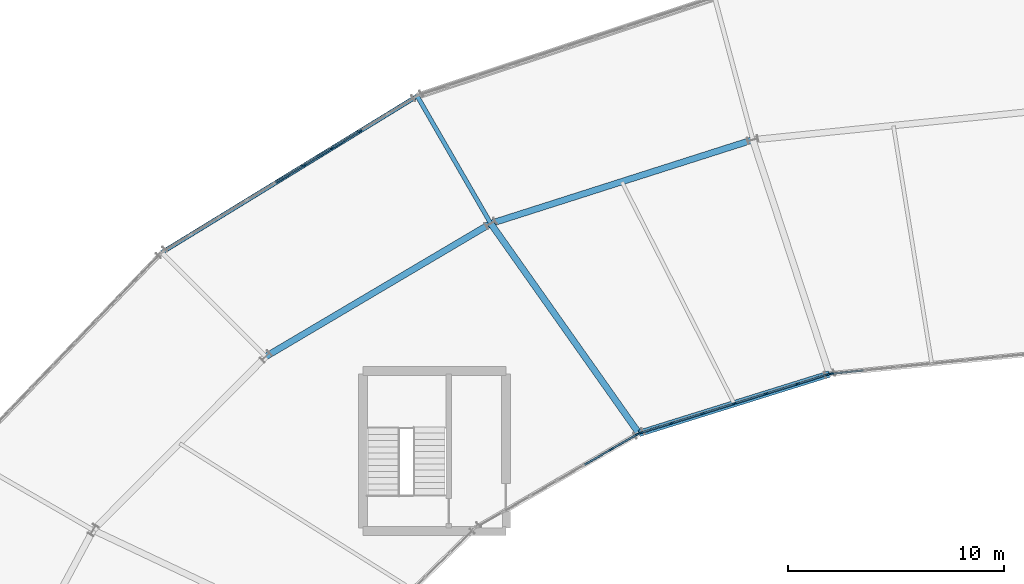
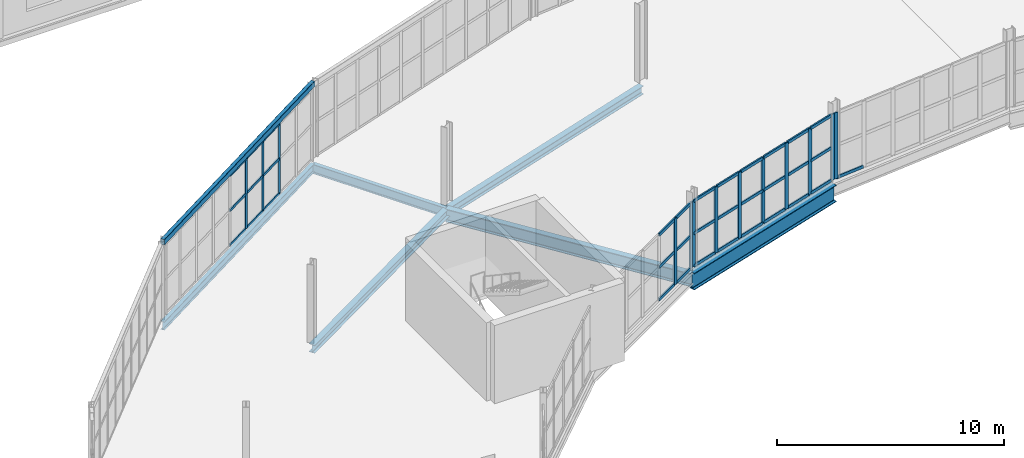
# One storey, part 66 of 161: 47 members, 7 beams, 4 elements without a shape of their own.
"""IFC4 building model written with IfcOpenShell, lengths in metres."""

from ifc_helpers import new_model, si_unit, direction, frame, origin, origin_2d, place, context, subcontext, project, spatial, rectangle, hollow_rectangle, i_section, extrude, material, material_profile, profile_set, type_object, element, aggregate, save


model = new_model("IFC4")

# Units and contexts
model_context = context("Model", 3, precision=1e-05, world=origin(), true_north=direction((0.0, 1.0)))
body_context = subcontext(model_context, "Body", "Model", "MODEL_VIEW")
ifc_project = project(units=[si_unit("LENGTHUNIT", "METRE"), si_unit("AREAUNIT", "SQUARE_METRE"), si_unit("VOLUMEUNIT", "CUBIC_METRE"), si_unit("PLANEANGLEUNIT", "RADIAN"), si_unit("MASSUNIT", "GRAM", prefix="KILO")], contexts=[model_context])

# Site, building, storey
site_placement = place(None, origin())
site = spatial("IfcSite", under=ifc_project, at=site_placement, CompositionType="ELEMENT")
building_placement = place(site_placement, origin())
building = spatial("IfcBuilding", under=site, at=building_placement, Name="Kildeholm Park Wholesale Market", CompositionType="ELEMENT")
storey_placement = place(building_placement, frame((0.0, 0.0, 5.39990234375)))
storey = spatial("IfcBuildingStorey", under=building, at=storey_placement, Name="L01", CompositionType="ELEMENT", Elevation=5.39990234375)

# Beams
ifc_material_1 = material(Name="Steel S355", Category="steel")
ifc_material_profile_1 = material_profile(ifc_material_1, i_section(OverallWidth=0.300048828125, OverallDepth=0.699951171875, WebThickness=0.01708984375, FlangeThickness=0.031982421875, FilletRadius=0.027099609375, at=origin_2d()), Name="HEB 700")
ifc_profile_set_1 = profile_set([ifc_material_profile_1], Name="Steel S355")
beam_type_1 = type_object("IfcBeamType", Name="Beam B-G01 HEB 700", PredefinedType="BEAM", material=ifc_profile_set_1)
beam_1_placement = place(storey_placement, frame((80.75, 113.31591796875, -0.599853515625), z_axis=(-0.576894674263, 0.816818544603, 0.0), x_axis=(-0.816818544603, -0.576894674263, 0.0)))
element("IfcBeam", 1, at=beam_1_placement, inside=storey, type_object=beam_type_1, Name="Beam BM-V1-L01-R1-08 BM-0075", PredefinedType="BEAM", context=body_context, shape_type="SweptSolid", body=[
    extrude(i_section(OverallWidth=0.300048828125, OverallDepth=0.699951171875, WebThickness=0.01708984375, FlangeThickness=0.031982421875, FilletRadius=0.027099609375, at=origin_2d()), origin(), (0.0, 0.0, 1.0), 11.8740234375),
])
ifc_material_profile_2 = material_profile(ifc_material_1, i_section(OverallWidth=0.300048828125, OverallDepth=0.89990234375, WebThickness=0.0185546875, FlangeThickness=0.034912109375, FilletRadius=0.030029296875, at=origin_2d()), Name="HEB 900")
ifc_profile_set_2 = profile_set([ifc_material_profile_2], Name="Steel S355")
beam_type_2 = type_object("IfcBeamType", Name="Beam B-G03 HEB 900", PredefinedType="BEAM", material=ifc_profile_set_2)
beam_2_placement = place(storey_placement, frame((89.552978515625, 116.06298828125, -0.699951171875), z_axis=(-0.9545990852, -0.297893582568, 0.0), x_axis=(0.297893582568, -0.9545990852, 0.0)))
element("IfcBeam", 2, at=beam_2_placement, inside=storey, type_object=beam_type_2, Name="Beam BM-V1-L01-CI-07 BM-0069", PredefinedType="BEAM", context=body_context, shape_type="SweptSolid", body=[
    extrude(i_section(OverallWidth=0.300048828125, OverallDepth=0.89990234375, WebThickness=0.0185546875, FlangeThickness=0.034912109375, FilletRadius=0.030029296875, at=origin_2d()), origin(), (0.0, 0.0, 1.0), 9.2216796875),
])
ifc_material_profile_3 = material_profile(ifc_material_1, i_section(OverallWidth=0.18994140625, OverallDepth=0.449951171875, WebThickness=0.009521484375, FlangeThickness=0.0146484375, FilletRadius=0.02099609375, at=origin_2d()), Name="IPE 450")
ifc_profile_set_3 = profile_set([ifc_material_profile_3], Name="Steel S355")
beam_type_3 = type_object("IfcBeamType", Name="Beam B-P02 IPE 450", PredefinedType="BEAM", material=ifc_profile_set_3)
beam_3_placement = place(storey_placement, frame((70.5, 128.904052734375, -0.474853515625), z_axis=(-0.852740373682, -0.522335002745, 0.0), x_axis=(0.522335002745, -0.852740373682, 0.0)))
element("IfcBeam", 3, at=beam_3_placement, inside=storey, type_object=beam_type_3, Name="Beam BM-V1-L01-CO-08 BM-0080", PredefinedType="BEAM", context=body_context, shape_type="SweptSolid", body=[
    extrude(i_section(OverallWidth=0.18994140625, OverallDepth=0.449951171875, WebThickness=0.009521484375, FlangeThickness=0.0146484375, FilletRadius=0.02099609375, at=origin_2d()), origin(), (0.0, 0.0, 1.0), 13.843505859375),
])
ifc_material_profile_4 = material_profile(ifc_material_1, i_section(OverallWidth=0.199951171875, OverallDepth=0.5, WebThickness=0.01025390625, FlangeThickness=0.01611328125, FilletRadius=0.02099609375, at=origin_2d()), Name="IPE 500")
ifc_profile_set_4 = profile_set([ifc_material_profile_4], Name="Steel S355")
beam_type_4 = type_object("IfcBeamType", Name="Beam B-P03 IPE 500", PredefinedType="BEAM", material=ifc_profile_set_4)
beam_4_placement = place(storey_placement, frame((73.89990234375, 123.014892578125, -0.5), z_axis=(-0.499977295307, 0.866038511948, 0.0), x_axis=(-0.866038511948, -0.499977295307, 0.0)))
element("IfcBeam", 4, at=beam_4_placement, inside=storey, type_object=beam_type_4, Name="Beam BM-V1-L01-R2-08 BM-0077", PredefinedType="BEAM", context=body_context, shape_type="SweptSolid", body=[
    extrude(i_section(OverallWidth=0.199951171875, OverallDepth=0.5, WebThickness=0.01025390625, FlangeThickness=0.01611328125, FilletRadius=0.02099609375, at=origin_2d()), origin(), (0.0, 0.0, 1.0), 6.800048828125),
])
ifc_material_profile_5 = material_profile(ifc_material_1, i_section(OverallWidth=0.300048828125, OverallDepth=0.43994140625, WebThickness=0.011474609375, FlangeThickness=0.02099609375, FilletRadius=0.027099609375, at=origin_2d()), Name="HEA 450")
ifc_profile_set_5 = profile_set([ifc_material_profile_5], Name="Steel S355")
beam_type_5 = type_object("IfcBeamType", Name="Beam B-R02 HEA 450", PredefinedType="BEAM", material=ifc_profile_set_5)
beam_5_placement = place(storey_placement, frame((86.007080078125, 126.881103515625, -0.469970703125), z_axis=(-0.952608649326, -0.304198555599, 0.0), x_axis=(0.304198555599, -0.952608649326, 0.0)))
element("IfcBeam", 5, at=beam_5_placement, inside=storey, type_object=beam_type_5, Name="Beam BM-V1-L01-CM-07 BM-0070", PredefinedType="BEAM", context=body_context, shape_type="SweptSolid", body=[
    extrude(i_section(OverallWidth=0.300048828125, OverallDepth=0.43994140625, WebThickness=0.011474609375, FlangeThickness=0.02099609375, FilletRadius=0.027099609375, at=origin_2d()), origin(), (0.0, 0.0, 1.0), 12.70947265625),
])
beam_6_placement = place(storey_placement, frame((73.89990234375, 123.014892578125, -0.469970703125), z_axis=(-0.860700316594, -0.509111937609, 0.0), x_axis=(0.509111937609, -0.860700316594, 0.0)))
element("IfcBeam", 6, at=beam_6_placement, inside=storey, type_object=beam_type_5, Name="Beam BM-V1-L01-CM-08 BM-0079", PredefinedType="BEAM", context=body_context, shape_type="SweptSolid", body=[
    extrude(i_section(OverallWidth=0.300048828125, OverallDepth=0.43994140625, WebThickness=0.011474609375, FlangeThickness=0.02099609375, FilletRadius=0.027099609375, at=origin_2d()), origin(), (0.0, 0.0, 1.0), 12.07958984375),
])
ifc_material_profile_6 = material_profile(ifc_material_1, hollow_rectangle(XDim=0.199951171875, YDim=0.300048828125, WallThickness=0.012451171875, InnerFilletRadius=0.012451171875, OuterFilletRadius=0.02490234375, at=origin_2d()), Name="RHS 300x200x12.5")
ifc_profile_set_6 = profile_set([ifc_material_profile_6], Name="Steel S355")
beam_type_6 = type_object("IfcBeamType", Name="Beam SP-01 RHS 300x200x12.5", PredefinedType="SPANDREL", material=ifc_profile_set_6)
beam_7_placement = place(storey_placement, frame((70.5, 128.904052734375, 4.022705078125), z_axis=(-0.852740373682, -0.522335002745, 0.0), x_axis=(0.522335002745, -0.852740373682, 0.0)))
element("IfcBeam", 7, at=beam_7_placement, inside=storey, type_object=beam_type_6, Name="Beam SP-V1-EAV-08 BM-0268", PredefinedType="SPANDREL", context=body_context, shape_type="SweptSolid", body=[
    extrude(hollow_rectangle(XDim=0.199951171875, YDim=0.300048828125, WallThickness=0.012451171875, InnerFilletRadius=0.012451171875, OuterFilletRadius=0.02490234375, at=origin_2d()), origin(), (0.0, 0.0, 1.0), 13.843505859375),
])

# Curtain wall, members
ifc_material_2 = material(Name="Anodised aluminium and low-E double-glazed glass", Category="aluminium")
curtain_wall_type = type_object("IfcCurtainWallType", Name="Market hall glazed arcade stick curtain wall CW-01", PredefinedType="NOTDEFINED", material=ifc_material_2)
curtain_wall_1_placement = place(storey_placement, origin())
curtain_wall_1 = element("IfcCurtainWall", 8, at=curtain_wall_1_placement, inside=storey, type_object=curtain_wall_type, Name="Curtain wall CW-V1-OT-08-1 CW-0039", PredefinedType="NOTDEFINED")
ifc_material_3 = material(Name="Anodised aluminium", Category="aluminium")
ifc_material_profile_7 = material_profile(ifc_material_3, rectangle(XDim=0.06494140625, YDim=0.179931640625, at=origin_2d()), Name="CWM 65x180")
ifc_profile_set_7 = profile_set([ifc_material_profile_7], Name="Anodised aluminium")
member_type_1 = type_object("IfcMemberType", Name="Curtain-wall mullion CWM-1 CWM 65x180", PredefinedType="MULLION", material=ifc_profile_set_7)
member_1_placement = place(storey_placement, frame((67.8544921875, 127.28955078125, 0.0), z_axis=(0.0, 0.0, 1.0), x_axis=(0.522284342695, -0.852771402766, 0.0)))
member_1 = element("IfcMember", 9, at=member_1_placement, type_object=member_type_1, Name="CW-01 mullion 3 MEM-1474", PredefinedType="MULLION", context=body_context, shape_type="SweptSolid", body=[
    extrude(rectangle(XDim=0.06494140625, YDim=0.179931640625, at=origin_2d()), origin(), (0.0, 0.0, 1.0), 3.800048828125),
])
member_2_placement = place(storey_placement, frame((66.55029296875, 126.49072265625, 0.0), z_axis=(0.0, 0.0, 1.0), x_axis=(0.522284342695, -0.852771402766, 0.0)))
member_2 = element("IfcMember", 10, at=member_2_placement, type_object=member_type_1, Name="CW-01 mullion 4 MEM-1475", PredefinedType="MULLION", context=body_context, shape_type="SweptSolid", body=[
    extrude(rectangle(XDim=0.06494140625, YDim=0.179931640625, at=origin_2d()), origin(), (0.0, 0.0, 1.0), 3.800048828125),
])
member_3_placement = place(storey_placement, frame((65.24609375, 125.69189453125, 0.0), z_axis=(0.0, 0.0, 1.0), x_axis=(0.522284342695, -0.852771402766, 0.0)))
member_3 = element("IfcMember", 11, at=member_3_placement, type_object=member_type_1, Name="CW-01 mullion 5 MEM-1476", PredefinedType="MULLION", context=body_context, shape_type="SweptSolid", body=[
    extrude(rectangle(XDim=0.06494140625, YDim=0.179931640625, at=origin_2d()), origin(), (0.0, 0.0, 1.0), 3.800048828125),
])

# Curtain wall, member
curtain_wall_2_placement = place(storey_placement, origin())
curtain_wall_2 = element("IfcCurtainWall", 12, at=curtain_wall_2_placement, inside=storey, type_object=curtain_wall_type, Name="Curtain wall CW-V1-IN1-06 CW-0033", PredefinedType="NOTDEFINED")
ifc_material_profile_8 = material_profile(ifc_material_3, rectangle(XDim=0.074951171875, YDim=0.219970703125, at=origin_2d()), Name="CWM 75x220")
ifc_profile_set_8 = profile_set([ifc_material_profile_8], Name="Anodised aluminium")
member_type_2 = type_object("IfcMemberType", Name="Curtain-wall mullion CWM-2 CWM 75x220", PredefinedType="MULLION", material=ifc_profile_set_8)
member_4_placement = place(storey_placement, frame((89.62939453125, 116.07470703125, 0.0), z_axis=(0.0, 0.0, 1.0), x_axis=(0.098683331174, -0.995118887444, 0.0)))
member_4 = element("IfcMember", 13, at=member_4_placement, type_object=member_type_2, Name="CW-01 mullion 7 MEM-1304", PredefinedType="MULLION", context=body_context, shape_type="SweptSolid", body=[
    extrude(rectangle(XDim=0.074951171875, YDim=0.219970703125, at=origin_2d()), origin(), (0.0, 0.0, 1.0), 3.550048828125),
])

# Curtain wall, members
curtain_wall_3_placement = place(storey_placement, origin())
curtain_wall_3 = element("IfcCurtainWall", 14, at=curtain_wall_3_placement, inside=storey, type_object=curtain_wall_type, Name="Curtain wall CW-V1-IN1-07 CW-0037", PredefinedType="NOTDEFINED")
member_5_placement = place(storey_placement, frame((89.477294921875, 116.0439453125, 0.0), z_axis=(0.0, 0.0, 1.0), x_axis=(0.297957339818, -0.954579186683, 0.0)))
member_5 = element("IfcMember", 15, at=member_5_placement, type_object=member_type_2, Name="CW-01 mullion 1 MEM-1422", PredefinedType="MULLION", context=body_context, shape_type="SweptSolid", body=[
    extrude(rectangle(XDim=0.074951171875, YDim=0.219970703125, at=origin_2d()), origin(), (0.0, 0.0, 1.0), 3.550048828125),
])
member_6_placement = place(storey_placement, frame((88.05859375, 115.60107421875, 0.0), z_axis=(0.0, 0.0, 1.0), x_axis=(0.297957339818, -0.954579186683, 0.0)))
member_6 = element("IfcMember", 16, at=member_6_placement, type_object=member_type_2, Name="CW-01 mullion 2 MEM-1423", PredefinedType="MULLION", context=body_context, shape_type="SweptSolid", body=[
    extrude(rectangle(XDim=0.074951171875, YDim=0.219970703125, at=origin_2d()), origin(), (0.0, 0.0, 1.0), 3.550048828125),
])
member_7_placement = place(storey_placement, frame((86.60400390625, 115.14697265625, 0.0), z_axis=(0.0, 0.0, 1.0), x_axis=(0.297957339818, -0.954579186683, 0.0)))
member_7 = element("IfcMember", 17, at=member_7_placement, type_object=member_type_2, Name="CW-01 mullion 3 MEM-1424", PredefinedType="MULLION", context=body_context, shape_type="SweptSolid", body=[
    extrude(rectangle(XDim=0.074951171875, YDim=0.219970703125, at=origin_2d()), origin(), (0.0, 0.0, 1.0), 3.550048828125),
])
member_8_placement = place(storey_placement, frame((85.1494140625, 114.693115234375, 0.0), z_axis=(0.0, 0.0, 1.0), x_axis=(0.297957339818, -0.954579186683, 0.0)))
member_8 = element("IfcMember", 18, at=member_8_placement, type_object=member_type_2, Name="CW-01 mullion 4 MEM-1425", PredefinedType="MULLION", context=body_context, shape_type="SweptSolid", body=[
    extrude(rectangle(XDim=0.074951171875, YDim=0.219970703125, at=origin_2d()), origin(), (0.0, 0.0, 1.0), 3.550048828125),
])
member_9_placement = place(storey_placement, frame((83.695068359375, 114.239013671875, 0.0), z_axis=(0.0, 0.0, 1.0), x_axis=(0.297957339818, -0.954579186683, 0.0)))
member_9 = element("IfcMember", 19, at=member_9_placement, type_object=member_type_2, Name="CW-01 mullion 5 MEM-1426", PredefinedType="MULLION", context=body_context, shape_type="SweptSolid", body=[
    extrude(rectangle(XDim=0.074951171875, YDim=0.219970703125, at=origin_2d()), origin(), (0.0, 0.0, 1.0), 3.550048828125),
])
member_10_placement = place(storey_placement, frame((82.240478515625, 113.784912109375, 0.0), z_axis=(0.0, 0.0, 1.0), x_axis=(0.297957339818, -0.954579186683, 0.0)))
member_10 = element("IfcMember", 20, at=member_10_placement, type_object=member_type_2, Name="CW-01 mullion 6 MEM-1427", PredefinedType="MULLION", context=body_context, shape_type="SweptSolid", body=[
    extrude(rectangle(XDim=0.074951171875, YDim=0.219970703125, at=origin_2d()), origin(), (0.0, 0.0, 1.0), 3.550048828125),
])
member_11_placement = place(storey_placement, frame((80.82177734375, 113.34228515625, 0.0), z_axis=(0.0, 0.0, 1.0), x_axis=(0.297957339818, -0.954579186683, 0.0)))
member_11 = element("IfcMember", 21, at=member_11_placement, type_object=member_type_2, Name="CW-01 mullion 7 MEM-1428", PredefinedType="MULLION", context=body_context, shape_type="SweptSolid", body=[
    extrude(rectangle(XDim=0.074951171875, YDim=0.219970703125, at=origin_2d()), origin(), (0.0, 0.0, 1.0), 3.550048828125),
])

curtain_wall_4_placement = place(storey_placement, origin())
curtain_wall_4 = element("IfcCurtainWall", 22, at=curtain_wall_4_placement, inside=storey, type_object=curtain_wall_type, Name="Curtain wall CW-V1-IN1-08 CW-0042", PredefinedType="NOTDEFINED")
member_12_placement = place(storey_placement, frame((80.679443359375, 113.2802734375, 0.0), z_axis=(0.0, 0.0, 1.0), x_axis=(0.500489412982, -0.865742656621, 0.0)))
member_12 = element("IfcMember", 23, at=member_12_placement, type_object=member_type_2, Name="CW-01 mullion 1 MEM-1567", PredefinedType="MULLION", context=body_context, shape_type="SweptSolid", body=[
    extrude(rectangle(XDim=0.074951171875, YDim=0.219970703125, at=origin_2d()), origin(), (0.0, 0.0, 1.0), 3.550048828125),
])
member_13_placement = place(storey_placement, frame((79.463623046875, 112.577392578125, 0.0), z_axis=(0.0, 0.0, 1.0), x_axis=(0.500489412982, -0.865742656621, 0.0)))
member_13 = element("IfcMember", 24, at=member_13_placement, type_object=member_type_2, Name="CW-01 mullion 2 MEM-1568", PredefinedType="MULLION", context=body_context, shape_type="SweptSolid", body=[
    extrude(rectangle(XDim=0.074951171875, YDim=0.219970703125, at=origin_2d()), origin(), (0.0, 0.0, 1.0), 3.550048828125),
])

# Member
ifc_material_profile_9 = material_profile(ifc_material_3, rectangle(XDim=0.06494140625, YDim=0.139892578125, at=origin_2d()), Name="CWT 65x140")
ifc_profile_set_9 = profile_set([ifc_material_profile_9], Name="Anodised aluminium")
member_type_3 = type_object("IfcMemberType", Name="Curtain-wall transom CWT-1 CWT 65x140", PredefinedType="USERDEFINED", material=ifc_profile_set_9)
member_14_placement = place(storey_placement, frame((67.826904296875, 127.2724609375, 0.03271484375), z_axis=(-0.852749773826, -0.522319656187, 0.0), x_axis=(0.522319656187, -0.852749773826, 0.0)))
member_14 = element("IfcMember", 25, at=member_14_placement, type_object=member_type_3, Name="CW-01 transom 3.1 MEM-1488", ObjectType="TRANSOM", PredefinedType="USERDEFINED", context=body_context, shape_type="SweptSolid", body=[
    extrude(rectangle(XDim=0.06494140625, YDim=0.139892578125, at=origin_2d()), origin(), (0.0, 0.0, 1.0), 1.46435546875),
])

member_15_placement = place(storey_placement, frame((67.826904296875, 127.2724609375, 1.900146484375), z_axis=(-0.852749773826, -0.522319656187, 0.0), x_axis=(0.522319656187, -0.852749773826, 0.0)))
member_15 = element("IfcMember", 26, at=member_15_placement, type_object=member_type_3, Name="CW-01 transom 3.2 MEM-1489", ObjectType="TRANSOM", PredefinedType="USERDEFINED", context=body_context, shape_type="SweptSolid", body=[
    extrude(rectangle(XDim=0.06494140625, YDim=0.139892578125, at=origin_2d()), origin(), (0.0, 0.0, 1.0), 1.46435546875),
])

member_16_placement = place(storey_placement, frame((67.826904296875, 127.2724609375, 3.767578125), z_axis=(-0.852749773826, -0.522319656187, 0.0), x_axis=(0.522319656187, -0.852749773826, 0.0)))
member_16 = element("IfcMember", 27, at=member_16_placement, type_object=member_type_3, Name="CW-01 transom 3.3 MEM-1490", ObjectType="TRANSOM", PredefinedType="USERDEFINED", context=body_context, shape_type="SweptSolid", body=[
    extrude(rectangle(XDim=0.06494140625, YDim=0.139892578125, at=origin_2d()), origin(), (0.0, 0.0, 1.0), 1.46435546875),
])

member_17_placement = place(storey_placement, frame((66.522705078125, 126.4736328125, 0.03271484375), z_axis=(-0.852824028084, -0.522198407812, 0.0), x_axis=(0.522198407812, -0.852824028084, 0.0)))
member_17 = element("IfcMember", 28, at=member_17_placement, type_object=member_type_3, Name="CW-01 transom 4.1 MEM-1491", ObjectType="TRANSOM", PredefinedType="USERDEFINED", context=body_context, shape_type="SweptSolid", body=[
    extrude(rectangle(XDim=0.06494140625, YDim=0.139892578125, at=origin_2d()), origin(), (0.0, 0.0, 1.0), 1.46435546875),
])

member_18_placement = place(storey_placement, frame((66.522705078125, 126.4736328125, 1.900146484375), z_axis=(-0.852824028084, -0.522198407812, 0.0), x_axis=(0.522198407812, -0.852824028084, 0.0)))
member_18 = element("IfcMember", 29, at=member_18_placement, type_object=member_type_3, Name="CW-01 transom 4.2 MEM-1492", ObjectType="TRANSOM", PredefinedType="USERDEFINED", context=body_context, shape_type="SweptSolid", body=[
    extrude(rectangle(XDim=0.06494140625, YDim=0.139892578125, at=origin_2d()), origin(), (0.0, 0.0, 1.0), 1.46435546875),
])

member_19_placement = place(storey_placement, frame((66.522705078125, 126.4736328125, 3.767578125), z_axis=(-0.852824028084, -0.522198407812, 0.0), x_axis=(0.522198407812, -0.852824028084, 0.0)))
member_19 = element("IfcMember", 30, at=member_19_placement, type_object=member_type_3, Name="CW-01 transom 4.3 MEM-1493", ObjectType="TRANSOM", PredefinedType="USERDEFINED", context=body_context, shape_type="SweptSolid", body=[
    extrude(rectangle(XDim=0.06494140625, YDim=0.139892578125, at=origin_2d()), origin(), (0.0, 0.0, 1.0), 1.46435546875),
])

member_20_placement = place(storey_placement, frame((65.218505859375, 125.6748046875, 0.03271484375), z_axis=(-0.852869484193, -0.522124164287, 0.0), x_axis=(0.522124164287, -0.852869484193, 0.0)))
member_20 = element("IfcMember", 31, at=member_20_placement, type_object=member_type_3, Name="CW-01 transom 5.1 MEM-1494", ObjectType="TRANSOM", PredefinedType="USERDEFINED", context=body_context, shape_type="SweptSolid", body=[
    extrude(rectangle(XDim=0.06494140625, YDim=0.139892578125, at=origin_2d()), origin(), (0.0, 0.0, 1.0), 1.464599609375),
])

member_21_placement = place(storey_placement, frame((65.218505859375, 125.6748046875, 1.900146484375), z_axis=(-0.852869484193, -0.522124164287, 0.0), x_axis=(0.522124164287, -0.852869484193, 0.0)))
member_21 = element("IfcMember", 32, at=member_21_placement, type_object=member_type_3, Name="CW-01 transom 5.2 MEM-1495", ObjectType="TRANSOM", PredefinedType="USERDEFINED", context=body_context, shape_type="SweptSolid", body=[
    extrude(rectangle(XDim=0.06494140625, YDim=0.139892578125, at=origin_2d()), origin(), (0.0, 0.0, 1.0), 1.464599609375),
])

member_22_placement = place(storey_placement, frame((65.218505859375, 125.6748046875, 3.767578125), z_axis=(-0.852869484193, -0.522124164287, 0.0), x_axis=(0.522124164287, -0.852869484193, 0.0)))
member_22 = element("IfcMember", 33, at=member_22_placement, type_object=member_type_3, Name="CW-01 transom 5.3 MEM-1496", ObjectType="TRANSOM", PredefinedType="USERDEFINED", context=body_context, shape_type="SweptSolid", body=[
    extrude(rectangle(XDim=0.06494140625, YDim=0.139892578125, at=origin_2d()), origin(), (0.0, 0.0, 1.0), 1.464599609375),
])

aggregate(curtain_wall_1, [member_1, member_2, member_3, member_14, member_15, member_16, member_17, member_18, member_19, member_20, member_21, member_22])

ifc_material_profile_10 = material_profile(ifc_material_3, rectangle(XDim=0.074951171875, YDim=0.159912109375, at=origin_2d()), Name="CWT 75x160")
ifc_profile_set_10 = profile_set([ifc_material_profile_10], Name="Anodised aluminium")
member_type_4 = type_object("IfcMemberType", Name="Curtain-wall transom CWT-2 CWT 75x160", PredefinedType="USERDEFINED", material=ifc_profile_set_10)
member_23_placement = place(storey_placement, frame((91.115966796875, 116.22216796875, 0.03759765625), z_axis=(-0.995113248343, -0.098740179123, 0.0), x_axis=(0.098740179123, -0.995113248343, 0.0)))
member_23 = element("IfcMember", 34, at=member_23_placement, type_object=member_type_4, Name="CW-01 transom 6.1 MEM-1320", ObjectType="TRANSOM", PredefinedType="USERDEFINED", context=body_context, shape_type="SweptSolid", body=[
    extrude(rectangle(XDim=0.074951171875, YDim=0.159912109375, at=origin_2d()), origin(), (0.0, 0.0, 1.0), 1.456298828125),
])

aggregate(curtain_wall_2, [member_4, member_23])

member_24_placement = place(storey_placement, frame((89.44140625, 116.03271484375, 0.03759765625), z_axis=(-0.954547671151, -0.298058288763, 0.0), x_axis=(0.298058288763, -0.954547671151, 0.0)))
member_24 = element("IfcMember", 35, at=member_24_placement, type_object=member_type_4, Name="CW-01 transom 1.1 MEM-1429", ObjectType="TRANSOM", PredefinedType="USERDEFINED", context=body_context, shape_type="SweptSolid", body=[
    extrude(rectangle(XDim=0.074951171875, YDim=0.159912109375, at=origin_2d()), origin(), (0.0, 0.0, 1.0), 1.411376953125),
])

member_25_placement = place(storey_placement, frame((89.44140625, 116.03271484375, 1.775146484375), z_axis=(-0.954547671151, -0.298058288763, 0.0), x_axis=(0.298058288763, -0.954547671151, 0.0)))
member_25 = element("IfcMember", 36, at=member_25_placement, type_object=member_type_4, Name="CW-01 transom 1.2 MEM-1430", ObjectType="TRANSOM", PredefinedType="USERDEFINED", context=body_context, shape_type="SweptSolid", body=[
    extrude(rectangle(XDim=0.074951171875, YDim=0.159912109375, at=origin_2d()), origin(), (0.0, 0.0, 1.0), 1.411376953125),
])

member_26_placement = place(storey_placement, frame((89.44140625, 116.03271484375, 3.5126953125), z_axis=(-0.954547671151, -0.298058288763, 0.0), x_axis=(0.298058288763, -0.954547671151, 0.0)))
member_26 = element("IfcMember", 37, at=member_26_placement, type_object=member_type_4, Name="CW-01 transom 1.3 MEM-1431", ObjectType="TRANSOM", PredefinedType="USERDEFINED", context=body_context, shape_type="SweptSolid", body=[
    extrude(rectangle(XDim=0.074951171875, YDim=0.159912109375, at=origin_2d()), origin(), (0.0, 0.0, 1.0), 1.411376953125),
])

member_27_placement = place(storey_placement, frame((88.022705078125, 115.58984375, 0.03759765625), z_axis=(-0.954575890989, -0.297967898176, 0.0), x_axis=(0.297967898176, -0.954575890989, 0.0)))
member_27 = element("IfcMember", 38, at=member_27_placement, type_object=member_type_4, Name="CW-01 transom 2.1 MEM-1432", ObjectType="TRANSOM", PredefinedType="USERDEFINED", context=body_context, shape_type="SweptSolid", body=[
    extrude(rectangle(XDim=0.074951171875, YDim=0.159912109375, at=origin_2d()), origin(), (0.0, 0.0, 1.0), 1.44873046875),
])

member_28_placement = place(storey_placement, frame((88.022705078125, 115.58984375, 1.775146484375), z_axis=(-0.954575890989, -0.297967898176, 0.0), x_axis=(0.297967898176, -0.954575890989, 0.0)))
member_28 = element("IfcMember", 39, at=member_28_placement, type_object=member_type_4, Name="CW-01 transom 2.2 MEM-1433", ObjectType="TRANSOM", PredefinedType="USERDEFINED", context=body_context, shape_type="SweptSolid", body=[
    extrude(rectangle(XDim=0.074951171875, YDim=0.159912109375, at=origin_2d()), origin(), (0.0, 0.0, 1.0), 1.44873046875),
])

member_29_placement = place(storey_placement, frame((88.022705078125, 115.58984375, 3.5126953125), z_axis=(-0.954575890989, -0.297967898176, 0.0), x_axis=(0.297967898176, -0.954575890989, 0.0)))
member_29 = element("IfcMember", 40, at=member_29_placement, type_object=member_type_4, Name="CW-01 transom 2.3 MEM-1434", ObjectType="TRANSOM", PredefinedType="USERDEFINED", context=body_context, shape_type="SweptSolid", body=[
    extrude(rectangle(XDim=0.074951171875, YDim=0.159912109375, at=origin_2d()), origin(), (0.0, 0.0, 1.0), 1.44873046875),
])

member_30_placement = place(storey_placement, frame((86.568115234375, 115.1357421875, 0.03759765625), z_axis=(-0.954575890989, -0.297967898176, 0.0), x_axis=(0.297967898176, -0.954575890989, 0.0)))
member_30 = element("IfcMember", 41, at=member_30_placement, type_object=member_type_4, Name="CW-01 transom 3.1 MEM-1435", ObjectType="TRANSOM", PredefinedType="USERDEFINED", context=body_context, shape_type="SweptSolid", body=[
    extrude(rectangle(XDim=0.074951171875, YDim=0.159912109375, at=origin_2d()), origin(), (0.0, 0.0, 1.0), 1.44873046875),
])

member_31_placement = place(storey_placement, frame((86.568115234375, 115.1357421875, 1.775146484375), z_axis=(-0.954575890989, -0.297967898176, 0.0), x_axis=(0.297967898176, -0.954575890989, 0.0)))
member_31 = element("IfcMember", 42, at=member_31_placement, type_object=member_type_4, Name="CW-01 transom 3.2 MEM-1436", ObjectType="TRANSOM", PredefinedType="USERDEFINED", context=body_context, shape_type="SweptSolid", body=[
    extrude(rectangle(XDim=0.074951171875, YDim=0.159912109375, at=origin_2d()), origin(), (0.0, 0.0, 1.0), 1.44873046875),
])

member_32_placement = place(storey_placement, frame((86.568115234375, 115.1357421875, 3.5126953125), z_axis=(-0.954575890989, -0.297967898176, 0.0), x_axis=(0.297967898176, -0.954575890989, 0.0)))
member_32 = element("IfcMember", 43, at=member_32_placement, type_object=member_type_4, Name="CW-01 transom 3.3 MEM-1437", ObjectType="TRANSOM", PredefinedType="USERDEFINED", context=body_context, shape_type="SweptSolid", body=[
    extrude(rectangle(XDim=0.074951171875, YDim=0.159912109375, at=origin_2d()), origin(), (0.0, 0.0, 1.0), 1.44873046875),
])

member_33_placement = place(storey_placement, frame((85.11376953125, 114.681884765625, 0.03759765625), z_axis=(-0.954590850637, -0.297919968919, 0.0), x_axis=(0.297919968919, -0.954590850637, 0.0)))
member_33 = element("IfcMember", 44, at=member_33_placement, type_object=member_type_4, Name="CW-01 transom 4.1 MEM-1438", ObjectType="TRANSOM", PredefinedType="USERDEFINED", context=body_context, shape_type="SweptSolid", body=[
    extrude(rectangle(XDim=0.074951171875, YDim=0.159912109375, at=origin_2d()), origin(), (0.0, 0.0, 1.0), 1.44873046875),
])

member_34_placement = place(storey_placement, frame((85.11376953125, 114.681884765625, 1.775146484375), z_axis=(-0.954590850637, -0.297919968919, 0.0), x_axis=(0.297919968919, -0.954590850637, 0.0)))
member_34 = element("IfcMember", 45, at=member_34_placement, type_object=member_type_4, Name="CW-01 transom 4.2 MEM-1439", ObjectType="TRANSOM", PredefinedType="USERDEFINED", context=body_context, shape_type="SweptSolid", body=[
    extrude(rectangle(XDim=0.074951171875, YDim=0.159912109375, at=origin_2d()), origin(), (0.0, 0.0, 1.0), 1.44873046875),
])

member_35_placement = place(storey_placement, frame((85.11376953125, 114.681884765625, 3.5126953125), z_axis=(-0.954590850637, -0.297919968919, 0.0), x_axis=(0.297919968919, -0.954590850637, 0.0)))
member_35 = element("IfcMember", 46, at=member_35_placement, type_object=member_type_4, Name="CW-01 transom 4.3 MEM-1440", ObjectType="TRANSOM", PredefinedType="USERDEFINED", context=body_context, shape_type="SweptSolid", body=[
    extrude(rectangle(XDim=0.074951171875, YDim=0.159912109375, at=origin_2d()), origin(), (0.0, 0.0, 1.0), 1.44873046875),
])

member_36_placement = place(storey_placement, frame((83.6591796875, 114.227783203125, 0.03759765625), z_axis=(-0.954575890989, -0.297967898176, 0.0), x_axis=(0.297967898176, -0.954575890989, 0.0)))
member_36 = element("IfcMember", 47, at=member_36_placement, type_object=member_type_4, Name="CW-01 transom 5.1 MEM-1441", ObjectType="TRANSOM", PredefinedType="USERDEFINED", context=body_context, shape_type="SweptSolid", body=[
    extrude(rectangle(XDim=0.074951171875, YDim=0.159912109375, at=origin_2d()), origin(), (0.0, 0.0, 1.0), 1.44873046875),
])

member_37_placement = place(storey_placement, frame((83.6591796875, 114.227783203125, 1.775146484375), z_axis=(-0.954575890989, -0.297967898176, 0.0), x_axis=(0.297967898176, -0.954575890989, 0.0)))
member_37 = element("IfcMember", 48, at=member_37_placement, type_object=member_type_4, Name="CW-01 transom 5.2 MEM-1442", ObjectType="TRANSOM", PredefinedType="USERDEFINED", context=body_context, shape_type="SweptSolid", body=[
    extrude(rectangle(XDim=0.074951171875, YDim=0.159912109375, at=origin_2d()), origin(), (0.0, 0.0, 1.0), 1.44873046875),
])

member_38_placement = place(storey_placement, frame((83.6591796875, 114.227783203125, 3.5126953125), z_axis=(-0.954575890989, -0.297967898176, 0.0), x_axis=(0.297967898176, -0.954575890989, 0.0)))
member_38 = element("IfcMember", 49, at=member_38_placement, type_object=member_type_4, Name="CW-01 transom 5.3 MEM-1443", ObjectType="TRANSOM", PredefinedType="USERDEFINED", context=body_context, shape_type="SweptSolid", body=[
    extrude(rectangle(XDim=0.074951171875, YDim=0.159912109375, at=origin_2d()), origin(), (0.0, 0.0, 1.0), 1.44873046875),
])

member_39_placement = place(storey_placement, frame((82.20458984375, 113.77392578125, 0.03759765625), z_axis=(-0.954532299309, -0.298107513451, 0.0), x_axis=(0.298107513451, -0.954532299309, 0.0)))
member_39 = element("IfcMember", 50, at=member_39_placement, type_object=member_type_4, Name="CW-01 transom 6.1 MEM-1444", ObjectType="TRANSOM", PredefinedType="USERDEFINED", context=body_context, shape_type="SweptSolid", body=[
    extrude(rectangle(XDim=0.074951171875, YDim=0.159912109375, at=origin_2d()), origin(), (0.0, 0.0, 1.0), 1.4111328125),
])

member_40_placement = place(storey_placement, frame((82.20458984375, 113.77392578125, 1.775146484375), z_axis=(-0.954532299309, -0.298107513451, 0.0), x_axis=(0.298107513451, -0.954532299309, 0.0)))
member_40 = element("IfcMember", 51, at=member_40_placement, type_object=member_type_4, Name="CW-01 transom 6.2 MEM-1445", ObjectType="TRANSOM", PredefinedType="USERDEFINED", context=body_context, shape_type="SweptSolid", body=[
    extrude(rectangle(XDim=0.074951171875, YDim=0.159912109375, at=origin_2d()), origin(), (0.0, 0.0, 1.0), 1.4111328125),
])

member_41_placement = place(storey_placement, frame((82.20458984375, 113.77392578125, 3.5126953125), z_axis=(-0.954532299309, -0.298107513451, 0.0), x_axis=(0.298107513451, -0.954532299309, 0.0)))
member_41 = element("IfcMember", 52, at=member_41_placement, type_object=member_type_4, Name="CW-01 transom 6.3 MEM-1446", ObjectType="TRANSOM", PredefinedType="USERDEFINED", context=body_context, shape_type="SweptSolid", body=[
    extrude(rectangle(XDim=0.074951171875, YDim=0.159912109375, at=origin_2d()), origin(), (0.0, 0.0, 1.0), 1.4111328125),
])

aggregate(curtain_wall_3, [member_5, member_6, member_7, member_8, member_9, member_10, member_11, member_24, member_25, member_26, member_27, member_28, member_29, member_30, member_31, member_32, member_33, member_34, member_35, member_36, member_37, member_38, member_39, member_40, member_41])

member_42_placement = place(storey_placement, frame((80.64697265625, 113.261474609375, 0.03759765625), z_axis=(-0.865757211821, -0.500464234666, 0.0), x_axis=(0.500464234666, -0.865757211821, 0.0)))
member_42 = element("IfcMember", 53, at=member_42_placement, type_object=member_type_4, Name="CW-01 transom 1.1 MEM-1574", ObjectType="TRANSOM", PredefinedType="USERDEFINED", context=body_context, shape_type="SweptSolid", body=[
    extrude(rectangle(XDim=0.074951171875, YDim=0.159912109375, at=origin_2d()), origin(), (0.0, 0.0, 1.0), 1.329345703125),
])

member_43_placement = place(storey_placement, frame((80.64697265625, 113.261474609375, 1.775146484375), z_axis=(-0.865757211821, -0.500464234666, 0.0), x_axis=(0.500464234666, -0.865757211821, 0.0)))
member_43 = element("IfcMember", 54, at=member_43_placement, type_object=member_type_4, Name="CW-01 transom 1.2 MEM-1575", ObjectType="TRANSOM", PredefinedType="USERDEFINED", context=body_context, shape_type="SweptSolid", body=[
    extrude(rectangle(XDim=0.074951171875, YDim=0.159912109375, at=origin_2d()), origin(), (0.0, 0.0, 1.0), 1.329345703125),
])

member_44_placement = place(storey_placement, frame((80.64697265625, 113.261474609375, 3.5126953125), z_axis=(-0.865757211821, -0.500464234666, 0.0), x_axis=(0.500464234666, -0.865757211821, 0.0)))
member_44 = element("IfcMember", 55, at=member_44_placement, type_object=member_type_4, Name="CW-01 transom 1.3 MEM-1576", ObjectType="TRANSOM", PredefinedType="USERDEFINED", context=body_context, shape_type="SweptSolid", body=[
    extrude(rectangle(XDim=0.074951171875, YDim=0.159912109375, at=origin_2d()), origin(), (0.0, 0.0, 1.0), 1.329345703125),
])

member_45_placement = place(storey_placement, frame((79.43115234375, 112.55859375, 0.03759765625), z_axis=(-0.865748132987, -0.500479939887, 0.0), x_axis=(0.500479939887, -0.865748132987, 0.0)))
member_45 = element("IfcMember", 56, at=member_45_placement, type_object=member_type_4, Name="CW-01 transom 2.1 MEM-1577", ObjectType="TRANSOM", PredefinedType="USERDEFINED", context=body_context, shape_type="SweptSolid", body=[
    extrude(rectangle(XDim=0.074951171875, YDim=0.159912109375, at=origin_2d()), origin(), (0.0, 0.0, 1.0), 1.366943359375),
])

member_46_placement = place(storey_placement, frame((79.43115234375, 112.55859375, 1.775146484375), z_axis=(-0.865748132987, -0.500479939887, 0.0), x_axis=(0.500479939887, -0.865748132987, 0.0)))
member_46 = element("IfcMember", 57, at=member_46_placement, type_object=member_type_4, Name="CW-01 transom 2.2 MEM-1578", ObjectType="TRANSOM", PredefinedType="USERDEFINED", context=body_context, shape_type="SweptSolid", body=[
    extrude(rectangle(XDim=0.074951171875, YDim=0.159912109375, at=origin_2d()), origin(), (0.0, 0.0, 1.0), 1.366943359375),
])

member_47_placement = place(storey_placement, frame((79.43115234375, 112.55859375, 3.5126953125), z_axis=(-0.865748132987, -0.500479939887, 0.0), x_axis=(0.500479939887, -0.865748132987, 0.0)))
member_47 = element("IfcMember", 58, at=member_47_placement, type_object=member_type_4, Name="CW-01 transom 2.3 MEM-1579", ObjectType="TRANSOM", PredefinedType="USERDEFINED", context=body_context, shape_type="SweptSolid", body=[
    extrude(rectangle(XDim=0.074951171875, YDim=0.159912109375, at=origin_2d()), origin(), (0.0, 0.0, 1.0), 1.366943359375),
])

aggregate(curtain_wall_4, [member_12, member_13, member_42, member_43, member_44, member_45, member_46, member_47])

save(model, "model.ifc")
